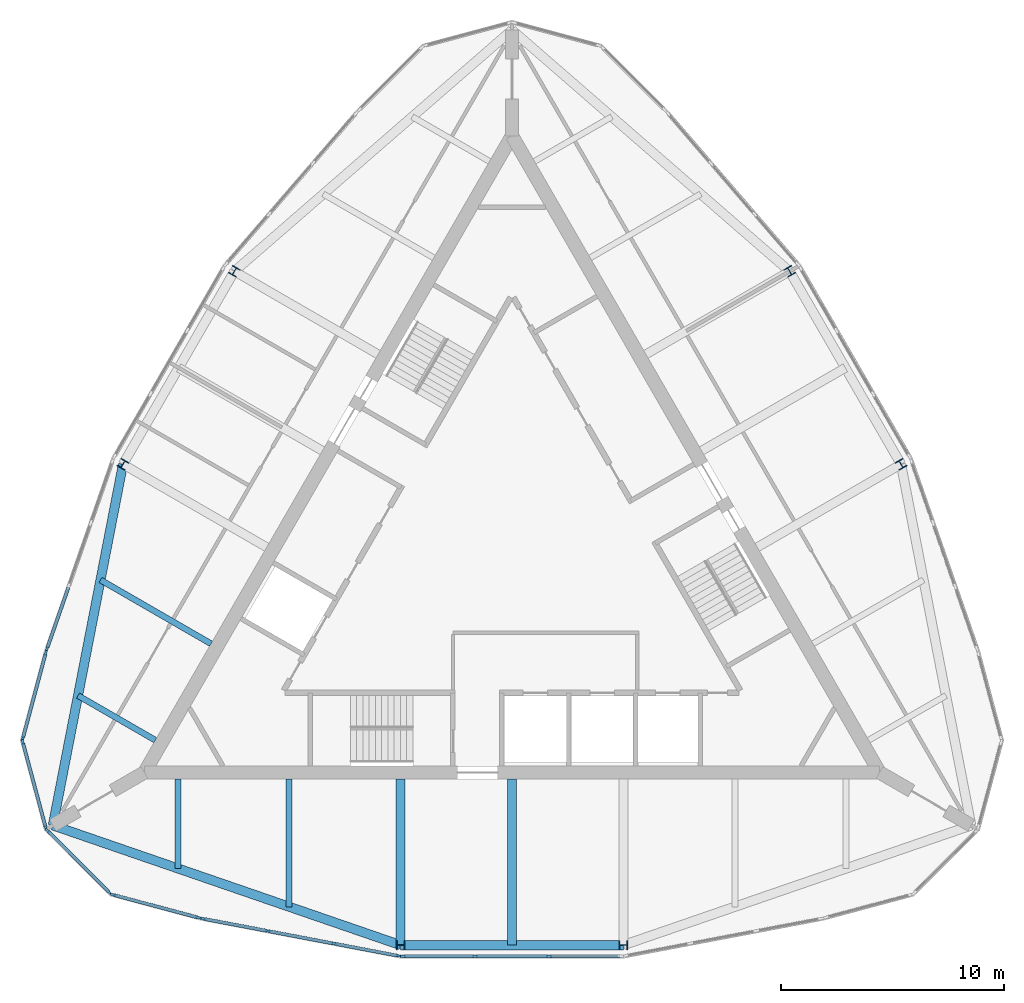
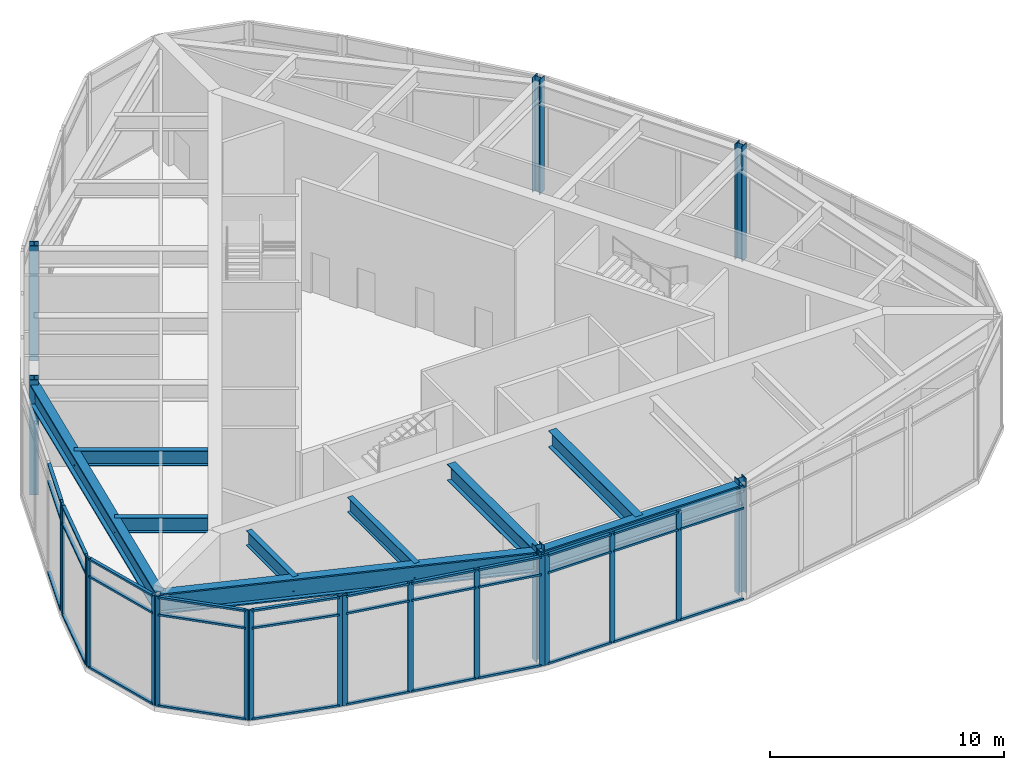
# One storey, part 1 of 9: 48 members, 9 beams, 6 columns, 7 elements without a shape of their own.
"""IFC4 building model written with IfcOpenShell, lengths in metres."""

from ifc_helpers import new_model, si_unit, direction, frame, origin, origin_2d, place, context, subcontext, project, spatial, rectangle, i_section, extrude, material, material_profile, profile_set, type_object, element, aggregate, save


model = new_model("IFC4")

# Units and contexts
model_context = context("Model", 3, precision=1e-05, world=origin(), true_north=direction((0.0, 1.0)))
body_context = subcontext(model_context, "Body", "Model", "MODEL_VIEW")
ifc_project = project(units=[si_unit("LENGTHUNIT", "METRE"), si_unit("AREAUNIT", "SQUARE_METRE"), si_unit("VOLUMEUNIT", "CUBIC_METRE"), si_unit("PLANEANGLEUNIT", "RADIAN"), si_unit("MASSUNIT", "GRAM", prefix="KILO")], contexts=[model_context])

# Site, building, storey
site_placement = place(None, origin())
site = spatial("IfcSite", under=ifc_project, at=site_placement, CompositionType="ELEMENT")
building_placement = place(site_placement, origin())
building = spatial("IfcBuilding", under=site, at=building_placement, Name="Trikona Tower", CompositionType="ELEMENT")
storey_placement = place(building_placement, frame((0.0, 0.0, 286.800048828125)))
storey = spatial("IfcBuildingStorey", under=building, at=storey_placement, Name="L75", CompositionType="ELEMENT", Elevation=286.800048828125)

# Columns
ifc_material_1 = material(Name="Steel ASTM A992 Grade 50", Category="steel")
ifc_material_profile_1 = material_profile(ifc_material_1, i_section(OverallWidth=0.398681640625, OverallDepth=0.385986328125, WebThickness=0.02099609375, FlangeThickness=0.033203125, at=origin_2d()), Name="W14X176")
ifc_profile_set_1 = profile_set([ifc_material_profile_1], Name="Steel ASTM A992 Grade 50")
column_type = type_object("IfcColumnType", Name="Steel column W14x176", PredefinedType="COLUMN", material=ifc_profile_set_1)
for number, where, z_axis, x_axis, name in (
    (1, (-5.0, -17.27587890625, 0.0), (0.0, 0.0, 1.0), (0.0, -1.0, 0.0), "Column F0m5"),
    (2, (5.0, -17.27587890625, 0.0), (0.0, 0.0, 1.0), (0.0, -1.0, 0.0), "Column F0p5"),
    (3, (17.461181640625, 4.307861328125, 0.0), (0.0, 0.0, 1.0), (0.866025403784, 0.5, 0.0), "Column F1m5"),
    (4, (12.461181640625, 12.968017578125, 0.0), (0.0, 0.0, 1.0), (0.866025403784, 0.5, 0.0), "Column F1p5"),
    (5, (-12.461181640625, 12.968017578125, 0.0), (0.0, 0.0, 1.0), (-0.866025403784, 0.5, 0.0), "Column F2m5"),
    (6, (-17.461181640625, 4.307861328125, 0.0), (0.0, 0.0, 1.0), (-0.866025403784, 0.5, 0.0), "Column F2p5"),
):
    element("IfcColumn", number, at=place(storey_placement, frame(where, z_axis=z_axis, x_axis=x_axis)), inside=storey, type_object=column_type, Name=name, PredefinedType="COLUMN", context=body_context, shape_type="SweptSolid", body=[
        extrude(i_section(OverallWidth=0.398681640625, OverallDepth=0.385986328125, WebThickness=0.02099609375, FlangeThickness=0.033203125, at=origin_2d()), origin(), (0.0, 0.0, 1.0), 6.0),
    ])

# Curtain wall, members
ifc_material_2 = material(Name="Aluminium curtain wall system", Category="aluminium")
curtain_wall_type = type_object("IfcCurtainWallType", Name="Curtain wall OB", PredefinedType="NOTDEFINED", material=ifc_material_2)
curtain_wall_1_placement = place(storey_placement, origin())
curtain_wall_1 = element("IfcCurtainWall", 7, at=curtain_wall_1_placement, inside=storey, type_object=curtain_wall_type, Name="Curtain wall OB L75", PredefinedType="NOTDEFINED")
ifc_material_3 = material(Name="Aluminium mullion, pale anodised", Category="aluminium")
ifc_material_profile_2 = material_profile(ifc_material_3, rectangle(XDim=0.10009765625, YDim=0.25, at=origin_2d()), Name="MUL-OB")
ifc_profile_set_2 = profile_set([ifc_material_profile_2], Name="Aluminium mullion, pale anodised")
member_type_1 = type_object("IfcMemberType", Name="Mullion OB 100x250", PredefinedType="MULLION", material=ifc_profile_set_2)
member_1_placement = place(storey_placement, frame((-13.873291015625, -16.088134765625, 0.0), z_axis=(0.0, 0.0, 1.0), x_axis=(0.186660752571, 0.982424431419, 0.0)))
member_1 = element("IfcMember", 8, at=member_1_placement, type_object=member_type_1, Name="CW-OB mullion 1", PredefinedType="MULLION", context=body_context, shape_type="SweptSolid", body=[
    extrude(rectangle(XDim=0.10009765625, YDim=0.25, at=origin_2d()), origin(), (0.0, 0.0, 1.0), 5.75),
])
member_2_placement = place(storey_placement, frame((-10.961669921875, -16.641357421875, 0.0), z_axis=(0.0, 0.0, 1.0), x_axis=(0.186660752571, 0.982424431419, 0.0)))
member_2 = element("IfcMember", 9, at=member_2_placement, type_object=member_type_1, Name="CW-OB mullion 2", PredefinedType="MULLION", context=body_context, shape_type="SweptSolid", body=[
    extrude(rectangle(XDim=0.10009765625, YDim=0.25, at=origin_2d()), origin(), (0.0, 0.0, 1.0), 5.75),
])
member_3_placement = place(storey_placement, frame((-8.0009765625, -17.203857421875, 0.0), z_axis=(0.0, 0.0, 1.0), x_axis=(0.186660752571, 0.982424431419, 0.0)))
member_3 = element("IfcMember", 10, at=member_3_placement, type_object=member_type_1, Name="CW-OB mullion 3", PredefinedType="MULLION", context=body_context, shape_type="SweptSolid", body=[
    extrude(rectangle(XDim=0.10009765625, YDim=0.25, at=origin_2d()), origin(), (0.0, 0.0, 1.0), 5.75),
])
member_4_placement = place(storey_placement, frame((-5.08935546875, -17.757080078125, 0.0), z_axis=(0.0, 0.0, 1.0), x_axis=(0.186660752571, 0.982424431419, 0.0)))
member_4 = element("IfcMember", 11, at=member_4_placement, type_object=member_type_1, Name="CW-OB mullion 4", PredefinedType="MULLION", context=body_context, shape_type="SweptSolid", body=[
    extrude(rectangle(XDim=0.10009765625, YDim=0.25, at=origin_2d()), origin(), (0.0, 0.0, 1.0), 5.75),
])

curtain_wall_2_placement = place(storey_placement, origin())
curtain_wall_2 = element("IfcCurtainWall", 12, at=curtain_wall_2_placement, inside=storey, type_object=curtain_wall_type, Name="Curtain wall OB L75", PredefinedType="NOTDEFINED")
member_5_placement = place(storey_placement, frame((-4.889892578125, -17.77587890625, 0.0), z_axis=(0.0, 0.0, 1.0), x_axis=(0.0, 1.0, 0.0)))
member_5 = element("IfcMember", 13, at=member_5_placement, type_object=member_type_1, Name="CW-OB mullion 1", PredefinedType="MULLION", context=body_context, shape_type="SweptSolid", body=[
    extrude(rectangle(XDim=0.10009765625, YDim=0.25, at=origin_2d()), origin(), (0.0, 0.0, 1.0), 5.75),
])
member_6_placement = place(storey_placement, frame((-1.646728515625, -17.77587890625, 0.0), z_axis=(0.0, 0.0, 1.0), x_axis=(0.0, 1.0, 0.0)))
member_6 = element("IfcMember", 14, at=member_6_placement, type_object=member_type_1, Name="CW-OB mullion 2", PredefinedType="MULLION", context=body_context, shape_type="SweptSolid", body=[
    extrude(rectangle(XDim=0.10009765625, YDim=0.25, at=origin_2d()), origin(), (0.0, 0.0, 1.0), 5.75),
])
member_7_placement = place(storey_placement, frame((1.646728515625, -17.77587890625, 0.0), z_axis=(0.0, 0.0, 1.0), x_axis=(0.0, 1.0, 0.0)))
member_7 = element("IfcMember", 15, at=member_7_placement, type_object=member_type_1, Name="CW-OB mullion 3", PredefinedType="MULLION", context=body_context, shape_type="SweptSolid", body=[
    extrude(rectangle(XDim=0.10009765625, YDim=0.25, at=origin_2d()), origin(), (0.0, 0.0, 1.0), 5.75),
])

# Curtain wall, member
curtain_wall_3_placement = place(storey_placement, origin())
curtain_wall_3 = element("IfcCurtainWall", 16, at=curtain_wall_3_placement, inside=storey, type_object=curtain_wall_type, Name="Curtain wall OB L75", PredefinedType="NOTDEFINED")
member_8_placement = place(storey_placement, frame((-20.869384765625, -3.970703125, 0.0), z_axis=(0.0, 0.0, 1.0), x_axis=(0.944137368145, -0.329552165935, 0.0)))
member_8 = element("IfcMember", 17, at=member_8_placement, type_object=member_type_1, Name="CW-OB mullion 4", PredefinedType="MULLION", context=body_context, shape_type="SweptSolid", body=[
    extrude(rectangle(XDim=0.10009765625, YDim=0.25, at=origin_2d()), origin(), (0.0, 0.0, 1.0), 5.75),
])

# Curtain wall, members
curtain_wall_4_placement = place(storey_placement, origin())
curtain_wall_4 = element("IfcCurtainWall", 18, at=curtain_wall_4_placement, inside=storey, type_object=curtain_wall_type, Name="Curtain wall OB L75", PredefinedType="NOTDEFINED")
member_9_placement = place(storey_placement, frame((-20.931884765625, -4.173583984375, 0.0), z_axis=(0.0, 0.0, 1.0), x_axis=(0.965921800259, -0.258834069983, 0.0)))
member_9 = element("IfcMember", 19, at=member_9_placement, type_object=member_type_1, Name="CW-OB mullion 1", PredefinedType="MULLION", context=body_context, shape_type="SweptSolid", body=[
    extrude(rectangle(XDim=0.10009765625, YDim=0.25, at=origin_2d()), origin(), (0.0, 0.0, 1.0), 5.75),
])
member_10_placement = place(storey_placement, frame((-21.957763671875, -8.00244140625, 0.0), z_axis=(0.0, 0.0, 1.0), x_axis=(0.965921800259, -0.258834069983, 0.0)))
member_10 = element("IfcMember", 20, at=member_10_placement, type_object=member_type_1, Name="CW-OB mullion 2", PredefinedType="MULLION", context=body_context, shape_type="SweptSolid", body=[
    extrude(rectangle(XDim=0.10009765625, YDim=0.25, at=origin_2d()), origin(), (0.0, 0.0, 1.0), 5.75),
])

curtain_wall_5_placement = place(storey_placement, origin())
curtain_wall_5 = element("IfcCurtainWall", 21, at=curtain_wall_5_placement, inside=storey, type_object=curtain_wall_type, Name="Curtain wall OB L75", PredefinedType="NOTDEFINED")
member_11_placement = place(storey_placement, frame((-21.957763671875, -8.163330078125, 0.0), z_axis=(0.0, 0.0, 1.0), x_axis=(0.965923448705, 0.258827918204, 0.0)))
member_11 = element("IfcMember", 22, at=member_11_placement, type_object=member_type_1, Name="CW-OB mullion 1", PredefinedType="MULLION", context=body_context, shape_type="SweptSolid", body=[
    extrude(rectangle(XDim=0.10009765625, YDim=0.25, at=origin_2d()), origin(), (0.0, 0.0, 1.0), 5.75),
])
member_12_placement = place(storey_placement, frame((-20.931884765625, -11.9921875, 0.0), z_axis=(0.0, 0.0, 1.0), x_axis=(0.965923448705, 0.258827918204, 0.0)))
member_12 = element("IfcMember", 23, at=member_12_placement, type_object=member_type_1, Name="CW-OB mullion 2", PredefinedType="MULLION", context=body_context, shape_type="SweptSolid", body=[
    extrude(rectangle(XDim=0.10009765625, YDim=0.25, at=origin_2d()), origin(), (0.0, 0.0, 1.0), 5.75),
])

curtain_wall_6_placement = place(storey_placement, origin())
curtain_wall_6 = element("IfcCurtainWall", 24, at=curtain_wall_6_placement, inside=storey, type_object=curtain_wall_type, Name="Curtain wall OB L75", PredefinedType="NOTDEFINED")
member_13_placement = place(storey_placement, frame((-20.8515625, -12.13134765625, 0.0), z_axis=(0.0, 0.0, 1.0), x_axis=(0.707106781187, 0.707106781187, 0.0)))
member_13 = element("IfcMember", 25, at=member_13_placement, type_object=member_type_1, Name="CW-OB mullion 1", PredefinedType="MULLION", context=body_context, shape_type="SweptSolid", body=[
    extrude(rectangle(XDim=0.10009765625, YDim=0.25, at=origin_2d()), origin(), (0.0, 0.0, 1.0), 5.75),
])
member_14_placement = place(storey_placement, frame((-18.048583984375, -14.934326171875, 0.0), z_axis=(0.0, 0.0, 1.0), x_axis=(0.707106781187, 0.707106781187, 0.0)))
member_14 = element("IfcMember", 26, at=member_14_placement, type_object=member_type_1, Name="CW-OB mullion 2", PredefinedType="MULLION", context=body_context, shape_type="SweptSolid", body=[
    extrude(rectangle(XDim=0.10009765625, YDim=0.25, at=origin_2d()), origin(), (0.0, 0.0, 1.0), 5.75),
])

curtain_wall_7_placement = place(storey_placement, origin())
curtain_wall_7 = element("IfcCurtainWall", 27, at=curtain_wall_7_placement, inside=storey, type_object=curtain_wall_type, Name="Curtain wall OB L75", PredefinedType="NOTDEFINED")
member_15_placement = place(storey_placement, frame((-17.909423828125, -15.0146484375, 0.0), z_axis=(0.0, 0.0, 1.0), x_axis=(0.258827918204, 0.965923448705, 0.0)))
member_15 = element("IfcMember", 28, at=member_15_placement, type_object=member_type_1, Name="CW-OB mullion 1", PredefinedType="MULLION", context=body_context, shape_type="SweptSolid", body=[
    extrude(rectangle(XDim=0.10009765625, YDim=0.25, at=origin_2d()), origin(), (0.0, 0.0, 1.0), 5.75),
])
member_16_placement = place(storey_placement, frame((-14.080322265625, -16.040771484375, 0.0), z_axis=(0.0, 0.0, 1.0), x_axis=(0.258827918204, 0.965923448705, 0.0)))
member_16 = element("IfcMember", 29, at=member_16_placement, type_object=member_type_1, Name="CW-OB mullion 2", PredefinedType="MULLION", context=body_context, shape_type="SweptSolid", body=[
    extrude(rectangle(XDim=0.10009765625, YDim=0.25, at=origin_2d()), origin(), (0.0, 0.0, 1.0), 5.75),
])

# Beams
ifc_material_4 = material(Name="Steel ASTM A992 Grade 50", Category="steel")
ifc_material_profile_3 = material_profile(ifc_material_4, i_section(OverallWidth=0.2666015625, OverallDepth=0.76953125, WebThickness=0.015625, FlangeThickness=0.025390625, at=origin_2d()), Name="W30X132")
ifc_profile_set_3 = profile_set([ifc_material_profile_3], Name="Steel ASTM A992 Grade 50")
beam_type_1 = type_object("IfcBeamType", Name="Steel beam W30x132 (wedge)", PredefinedType="BEAM", material=ifc_profile_set_3)
beam_1_placement = place(storey_placement, frame((-15.0, -9.826416015625, 5.365234375), z_axis=(0.0, -1.0, 0.0), x_axis=(1.0, 0.0, 0.0)))
element("IfcBeam", 30, at=beam_1_placement, inside=storey, type_object=beam_type_1, Name="Floor beam L76 F1 u-15", PredefinedType="BEAM", context=body_context, shape_type="SweptSolid", body=[
    extrude(i_section(OverallWidth=0.2666015625, OverallDepth=0.76953125, WebThickness=0.015625, FlangeThickness=0.025390625, at=origin_2d()), origin(), (0.0, 0.0, 1.0), 4.005126953125),
])
beam_2_placement = place(storey_placement, frame((-10.0, -9.826416015625, 5.365234375), z_axis=(0.0, -1.0, 0.0), x_axis=(1.0, 0.0, 0.0)))
element("IfcBeam", 31, at=beam_2_placement, inside=storey, type_object=beam_type_1, Name="Floor beam L76 F1 u-10", PredefinedType="BEAM", context=body_context, shape_type="SweptSolid", body=[
    extrude(i_section(OverallWidth=0.2666015625, OverallDepth=0.76953125, WebThickness=0.015625, FlangeThickness=0.025390625, at=origin_2d()), origin(), (0.0, 0.0, 1.0), 5.727294921875),
])
beam_3_placement = place(storey_placement, frame((-13.509765625, -3.7470703125, 5.365234375), z_axis=(-0.866025872957, 0.499999187369, 0.0), x_axis=(-0.499999187369, -0.866025872957, 0.0)))
element("IfcBeam", 32, at=beam_3_placement, inside=storey, type_object=beam_type_1, Name="Floor beam L76 F3 u10", PredefinedType="BEAM", context=body_context, shape_type="SweptSolid", body=[
    extrude(i_section(OverallWidth=0.2666015625, OverallDepth=0.76953125, WebThickness=0.015625, FlangeThickness=0.025390625, at=origin_2d()), origin(), (0.0, 0.0, 1.0), 5.7275390625),
])
beam_4_placement = place(storey_placement, frame((-16.009765625, -8.077392578125, 5.365234375), z_axis=(-0.866025209122, 0.500000337164, 0.0), x_axis=(-0.500000337164, -0.866025209122, 0.0)))
element("IfcBeam", 33, at=beam_4_placement, inside=storey, type_object=beam_type_1, Name="Floor beam L76 F3 u15", PredefinedType="BEAM", context=body_context, shape_type="SweptSolid", body=[
    extrude(i_section(OverallWidth=0.2666015625, OverallDepth=0.76953125, WebThickness=0.015625, FlangeThickness=0.025390625, at=origin_2d()), origin(), (0.0, 0.0, 1.0), 4.00537109375),
])
ifc_material_5 = material(Name="Steel ASTM A992 Grade 50", Category="steel")
ifc_material_profile_4 = material_profile(ifc_material_5, i_section(OverallWidth=0.398681640625, OverallDepth=0.85595703125, WebThickness=0.01806640625, FlangeThickness=0.029296875, at=origin_2d()), Name="W33X201")
ifc_profile_set_4 = profile_set([ifc_material_profile_4], Name="Steel ASTM A992 Grade 50")
beam_type_2 = type_object("IfcBeamType", Name="Steel beam W33x201 (top)", PredefinedType="BEAM", material=ifc_profile_set_4)
for number, where, z_axis, x_axis, name in (
    (34, (-5.0, -9.826416015625, 5.322021484375), (0.0, -1.0, 0.0), (1.0, 0.0, 0.0), "Floor beam L76 F1 u-5"),
    (35, (0.0, -9.826416015625, 5.322021484375), (0.0, -1.0, 0.0), (1.0, 0.0, 0.0), "Floor beam L76 F1 u0"),
):
    element("IfcBeam", number, at=place(storey_placement, frame(where, z_axis=z_axis, x_axis=x_axis)), inside=storey, type_object=beam_type_2, Name=name, PredefinedType="BEAM", context=body_context, shape_type="SweptSolid", body=[
        extrude(i_section(OverallWidth=0.398681640625, OverallDepth=0.85595703125, WebThickness=0.01806640625, FlangeThickness=0.029296875, at=origin_2d()), origin(), (0.0, 0.0, 1.0), 7.449462890625),
    ])
ifc_material_6 = material(Name="Steel ASTM A992 Grade 50", Category="steel")
ifc_material_profile_5 = material_profile(ifc_material_6, i_section(OverallWidth=0.41650390625, OverallDepth=1.0693359375, WebThickness=0.0390625, FlangeThickness=0.070068359375, at=origin_2d()), Name="W40X503")
ifc_profile_set_5 = profile_set([ifc_material_profile_5], Name="Steel ASTM A992 Grade 50")
beam_type_3 = type_object("IfcBeamType", Name="Steel beam W40x503 (crown spandrel)", PredefinedType="SPANDREL", material=ifc_profile_set_5)
beam_5_placement = place(storey_placement, frame((-20.6103515625, -11.8994140625, 5.21533203125), z_axis=(0.945492661054, -0.325643406033, 0.0), x_axis=(0.325643406033, 0.945492661054, 0.0)))
element("IfcBeam", 36, at=beam_5_placement, inside=storey, type_object=beam_type_3, Name="Spandrel beam L76 F1-1", PredefinedType="SPANDREL", context=body_context, shape_type="SweptSolid", body=[
    extrude(i_section(OverallWidth=0.41650390625, OverallDepth=1.0693359375, WebThickness=0.0390625, FlangeThickness=0.070068359375, at=origin_2d()), origin(), (0.0, 0.0, 1.0), 16.51025390625),
])
beam_6_placement = place(storey_placement, frame((-5.0, -17.27587890625, 5.21533203125), z_axis=(1.0, 0.0, 0.0), x_axis=(0.0, 1.0, 0.0)))
element("IfcBeam", 37, at=beam_6_placement, inside=storey, type_object=beam_type_3, Name="Spandrel beam L76 F1-2", PredefinedType="SPANDREL", context=body_context, shape_type="SweptSolid", body=[
    extrude(i_section(OverallWidth=0.41650390625, OverallDepth=1.0693359375, WebThickness=0.0390625, FlangeThickness=0.070068359375, at=origin_2d()), origin(), (0.0, 0.0, 1.0), 10.0),
])
beam_7_placement = place(storey_placement, frame((-17.461181640625, 4.307861328125, 5.21533203125), z_axis=(-0.190738651496, -0.981640854297, 0.0), x_axis=(0.981640854297, -0.190738651496, 0.0)))
element("IfcBeam", 38, at=beam_7_placement, inside=storey, type_object=beam_type_3, Name="Spandrel beam L76 F3-3", PredefinedType="SPANDREL", context=body_context, shape_type="SweptSolid", body=[
    extrude(i_section(OverallWidth=0.41650390625, OverallDepth=1.0693359375, WebThickness=0.0390625, FlangeThickness=0.070068359375, at=origin_2d()), origin(), (0.0, 0.0, 1.0), 16.510498046875),
])

# Member
ifc_material_7 = material(Name="Aluminium transom, pale anodised", Category="aluminium")
ifc_material_profile_6 = material_profile(ifc_material_7, rectangle(XDim=0.14990234375, YDim=0.10009765625, at=origin_2d()), Name="TRN-OB")
ifc_profile_set_6 = profile_set([ifc_material_profile_6], Name="Aluminium transom, pale anodised")
member_type_2 = type_object("IfcMemberType", Name="Transom OB 100x150", PredefinedType="USERDEFINED", material=ifc_profile_set_6)
member_17_placement = place(storey_placement, frame((-13.82421875, -16.097412109375, 0.050048828125), z_axis=(0.982417572475, -0.186696848639, 0.0), x_axis=(0.186696848639, 0.982417572475, 0.0)))
member_17 = element("IfcMember", 39, at=member_17_placement, type_object=member_type_2, Name="CW-OB transom 1.1", ObjectType="TRANSOM", PredefinedType="USERDEFINED", context=body_context, shape_type="SweptSolid", body=[
    extrude(rectangle(XDim=0.14990234375, YDim=0.10009765625, at=origin_2d()), origin(), (0.0, 0.0, 1.0), 2.86376953125),
])

member_18_placement = place(storey_placement, frame((-13.82421875, -16.097412109375, 4.800048828125), z_axis=(0.982417572475, -0.186696848639, 0.0), x_axis=(0.186696848639, 0.982417572475, 0.0)))
member_18 = element("IfcMember", 40, at=member_18_placement, type_object=member_type_2, Name="CW-OB transom 1.2", ObjectType="TRANSOM", PredefinedType="USERDEFINED", context=body_context, shape_type="SweptSolid", body=[
    extrude(rectangle(XDim=0.14990234375, YDim=0.10009765625, at=origin_2d()), origin(), (0.0, 0.0, 1.0), 2.86376953125),
])

member_19_placement = place(storey_placement, frame((-13.82421875, -16.097412109375, 5.699951171875), z_axis=(0.982417572475, -0.186696848639, 0.0), x_axis=(0.186696848639, 0.982417572475, 0.0)))
member_19 = element("IfcMember", 41, at=member_19_placement, type_object=member_type_2, Name="CW-OB transom 1.3", ObjectType="TRANSOM", PredefinedType="USERDEFINED", context=body_context, shape_type="SweptSolid", body=[
    extrude(rectangle(XDim=0.14990234375, YDim=0.10009765625, at=origin_2d()), origin(), (0.0, 0.0, 1.0), 2.86376953125),
])

member_20_placement = place(storey_placement, frame((-10.91259765625, -16.650634765625, 0.050048828125), z_axis=(0.982420610208, -0.186680863074, 0.0), x_axis=(0.186680863074, 0.982420610208, 0.0)))
member_20 = element("IfcMember", 42, at=member_20_placement, type_object=member_type_2, Name="CW-OB transom 2.1", ObjectType="TRANSOM", PredefinedType="USERDEFINED", context=body_context, shape_type="SweptSolid", body=[
    extrude(rectangle(XDim=0.14990234375, YDim=0.10009765625, at=origin_2d()), origin(), (0.0, 0.0, 1.0), 2.913818359375),
])

member_21_placement = place(storey_placement, frame((-10.91259765625, -16.650634765625, 4.800048828125), z_axis=(0.982420610208, -0.186680863074, 0.0), x_axis=(0.186680863074, 0.982420610208, 0.0)))
member_21 = element("IfcMember", 43, at=member_21_placement, type_object=member_type_2, Name="CW-OB transom 2.2", ObjectType="TRANSOM", PredefinedType="USERDEFINED", context=body_context, shape_type="SweptSolid", body=[
    extrude(rectangle(XDim=0.14990234375, YDim=0.10009765625, at=origin_2d()), origin(), (0.0, 0.0, 1.0), 2.913818359375),
])

member_22_placement = place(storey_placement, frame((-10.91259765625, -16.650634765625, 5.699951171875), z_axis=(0.982420610208, -0.186680863074, 0.0), x_axis=(0.186680863074, 0.982420610208, 0.0)))
member_22 = element("IfcMember", 44, at=member_22_placement, type_object=member_type_2, Name="CW-OB transom 2.3", ObjectType="TRANSOM", PredefinedType="USERDEFINED", context=body_context, shape_type="SweptSolid", body=[
    extrude(rectangle(XDim=0.14990234375, YDim=0.10009765625, at=origin_2d()), origin(), (0.0, 0.0, 1.0), 2.913818359375),
])

member_23_placement = place(storey_placement, frame((-7.951904296875, -17.213134765625, 0.050048828125), z_axis=(0.982417572475, -0.186696848639, 0.0), x_axis=(0.186696848639, 0.982417572475, 0.0)))
member_23 = element("IfcMember", 45, at=member_23_placement, type_object=member_type_2, Name="CW-OB transom 3.1", ObjectType="TRANSOM", PredefinedType="USERDEFINED", context=body_context, shape_type="SweptSolid", body=[
    extrude(rectangle(XDim=0.14990234375, YDim=0.10009765625, at=origin_2d()), origin(), (0.0, 0.0, 1.0), 2.86376953125),
])

member_24_placement = place(storey_placement, frame((-7.951904296875, -17.213134765625, 4.800048828125), z_axis=(0.982417572475, -0.186696848639, 0.0), x_axis=(0.186696848639, 0.982417572475, 0.0)))
member_24 = element("IfcMember", 46, at=member_24_placement, type_object=member_type_2, Name="CW-OB transom 3.2", ObjectType="TRANSOM", PredefinedType="USERDEFINED", context=body_context, shape_type="SweptSolid", body=[
    extrude(rectangle(XDim=0.14990234375, YDim=0.10009765625, at=origin_2d()), origin(), (0.0, 0.0, 1.0), 2.86376953125),
])

member_25_placement = place(storey_placement, frame((-7.951904296875, -17.213134765625, 5.699951171875), z_axis=(0.982417572475, -0.186696848639, 0.0), x_axis=(0.186696848639, 0.982417572475, 0.0)))
member_25 = element("IfcMember", 47, at=member_25_placement, type_object=member_type_2, Name="CW-OB transom 3.3", ObjectType="TRANSOM", PredefinedType="USERDEFINED", context=body_context, shape_type="SweptSolid", body=[
    extrude(rectangle(XDim=0.14990234375, YDim=0.10009765625, at=origin_2d()), origin(), (0.0, 0.0, 1.0), 2.86376953125),
])

aggregate(curtain_wall_1, [member_1, member_2, member_3, member_4, member_17, member_18, member_19, member_20, member_21, member_22, member_23, member_24, member_25])

member_26_placement = place(storey_placement, frame((-4.840087890625, -17.77587890625, 0.050048828125), z_axis=(1.0, 0.0, 0.0), x_axis=(0.0, 1.0, 0.0)))
member_26 = element("IfcMember", 48, at=member_26_placement, type_object=member_type_2, Name="CW-OB transom 1.1", ObjectType="TRANSOM", PredefinedType="USERDEFINED", context=body_context, shape_type="SweptSolid", body=[
    extrude(rectangle(XDim=0.14990234375, YDim=0.10009765625, at=origin_2d()), origin(), (0.0, 0.0, 1.0), 3.143310546875),
])

member_27_placement = place(storey_placement, frame((-4.840087890625, -17.77587890625, 4.800048828125), z_axis=(1.0, 0.0, 0.0), x_axis=(0.0, 1.0, 0.0)))
member_27 = element("IfcMember", 49, at=member_27_placement, type_object=member_type_2, Name="CW-OB transom 1.2", ObjectType="TRANSOM", PredefinedType="USERDEFINED", context=body_context, shape_type="SweptSolid", body=[
    extrude(rectangle(XDim=0.14990234375, YDim=0.10009765625, at=origin_2d()), origin(), (0.0, 0.0, 1.0), 3.143310546875),
])

member_28_placement = place(storey_placement, frame((-4.840087890625, -17.77587890625, 5.699951171875), z_axis=(1.0, 0.0, 0.0), x_axis=(0.0, 1.0, 0.0)))
member_28 = element("IfcMember", 50, at=member_28_placement, type_object=member_type_2, Name="CW-OB transom 1.3", ObjectType="TRANSOM", PredefinedType="USERDEFINED", context=body_context, shape_type="SweptSolid", body=[
    extrude(rectangle(XDim=0.14990234375, YDim=0.10009765625, at=origin_2d()), origin(), (0.0, 0.0, 1.0), 3.143310546875),
])

member_29_placement = place(storey_placement, frame((-1.5966796875, -17.77587890625, 0.050048828125), z_axis=(1.0, 0.0, 0.0), x_axis=(0.0, 1.0, 0.0)))
member_29 = element("IfcMember", 51, at=member_29_placement, type_object=member_type_2, Name="CW-OB transom 2.1", ObjectType="TRANSOM", PredefinedType="USERDEFINED", context=body_context, shape_type="SweptSolid", body=[
    extrude(rectangle(XDim=0.14990234375, YDim=0.10009765625, at=origin_2d()), origin(), (0.0, 0.0, 1.0), 3.193359375),
])

member_30_placement = place(storey_placement, frame((-1.5966796875, -17.77587890625, 4.800048828125), z_axis=(1.0, 0.0, 0.0), x_axis=(0.0, 1.0, 0.0)))
member_30 = element("IfcMember", 52, at=member_30_placement, type_object=member_type_2, Name="CW-OB transom 2.2", ObjectType="TRANSOM", PredefinedType="USERDEFINED", context=body_context, shape_type="SweptSolid", body=[
    extrude(rectangle(XDim=0.14990234375, YDim=0.10009765625, at=origin_2d()), origin(), (0.0, 0.0, 1.0), 3.193359375),
])

member_31_placement = place(storey_placement, frame((-1.5966796875, -17.77587890625, 5.699951171875), z_axis=(1.0, 0.0, 0.0), x_axis=(0.0, 1.0, 0.0)))
member_31 = element("IfcMember", 53, at=member_31_placement, type_object=member_type_2, Name="CW-OB transom 2.3", ObjectType="TRANSOM", PredefinedType="USERDEFINED", context=body_context, shape_type="SweptSolid", body=[
    extrude(rectangle(XDim=0.14990234375, YDim=0.10009765625, at=origin_2d()), origin(), (0.0, 0.0, 1.0), 3.193359375),
])

member_32_placement = place(storey_placement, frame((1.69677734375, -17.77587890625, 0.050048828125), z_axis=(1.0, 0.0, 0.0), x_axis=(0.0, 1.0, 0.0)))
member_32 = element("IfcMember", 54, at=member_32_placement, type_object=member_type_2, Name="CW-OB transom 3.1", ObjectType="TRANSOM", PredefinedType="USERDEFINED", context=body_context, shape_type="SweptSolid", body=[
    extrude(rectangle(XDim=0.14990234375, YDim=0.10009765625, at=origin_2d()), origin(), (0.0, 0.0, 1.0), 3.143310546875),
])

member_33_placement = place(storey_placement, frame((1.69677734375, -17.77587890625, 4.800048828125), z_axis=(1.0, 0.0, 0.0), x_axis=(0.0, 1.0, 0.0)))
member_33 = element("IfcMember", 55, at=member_33_placement, type_object=member_type_2, Name="CW-OB transom 3.2", ObjectType="TRANSOM", PredefinedType="USERDEFINED", context=body_context, shape_type="SweptSolid", body=[
    extrude(rectangle(XDim=0.14990234375, YDim=0.10009765625, at=origin_2d()), origin(), (0.0, 0.0, 1.0), 3.143310546875),
])

aggregate(curtain_wall_2, [member_5, member_6, member_7, member_26, member_27, member_28, member_29, member_30, member_31, member_32, member_33])

member_34_placement = place(storey_placement, frame((-19.9091796875, -1.2197265625, 0.050048828125), z_axis=(-0.329522402008, -0.944147756749, 0.0), x_axis=(0.944147756749, -0.329522402008, 0.0)))
member_34 = element("IfcMember", 56, at=member_34_placement, type_object=member_type_2, Name="CW-OB transom 3.1", ObjectType="TRANSOM", PredefinedType="USERDEFINED", context=body_context, shape_type="SweptSolid", body=[
    extrude(rectangle(XDim=0.14990234375, YDim=0.10009765625, at=origin_2d()), origin(), (0.0, 0.0, 1.0), 2.863525390625),
])

member_35_placement = place(storey_placement, frame((-19.9091796875, -1.2197265625, 4.800048828125), z_axis=(-0.329522402008, -0.944147756749, 0.0), x_axis=(0.944147756749, -0.329522402008, 0.0)))
member_35 = element("IfcMember", 57, at=member_35_placement, type_object=member_type_2, Name="CW-OB transom 3.2", ObjectType="TRANSOM", PredefinedType="USERDEFINED", context=body_context, shape_type="SweptSolid", body=[
    extrude(rectangle(XDim=0.14990234375, YDim=0.10009765625, at=origin_2d()), origin(), (0.0, 0.0, 1.0), 2.863525390625),
])

member_36_placement = place(storey_placement, frame((-19.9091796875, -1.2197265625, 5.699951171875), z_axis=(-0.329522402008, -0.944147756749, 0.0), x_axis=(0.944147756749, -0.329522402008, 0.0)))
member_36 = element("IfcMember", 58, at=member_36_placement, type_object=member_type_2, Name="CW-OB transom 3.3", ObjectType="TRANSOM", PredefinedType="USERDEFINED", context=body_context, shape_type="SweptSolid", body=[
    extrude(rectangle(XDim=0.14990234375, YDim=0.10009765625, at=origin_2d()), origin(), (0.0, 0.0, 1.0), 2.863525390625),
])

aggregate(curtain_wall_3, [member_8, member_34, member_35, member_36])

member_37_placement = place(storey_placement, frame((-20.94482421875, -4.221923828125, 0.050048828125), z_axis=(-0.258810832585, -0.965928026789, 0.0), x_axis=(0.965928026789, -0.258810832585, 0.0)))
member_37 = element("IfcMember", 59, at=member_37_placement, type_object=member_type_2, Name="CW-OB transom 1.1", ObjectType="TRANSOM", PredefinedType="USERDEFINED", context=body_context, shape_type="SweptSolid", body=[
    extrude(rectangle(XDim=0.14990234375, YDim=0.10009765625, at=origin_2d()), origin(), (0.0, 0.0, 1.0), 3.86376953125),
])

member_38_placement = place(storey_placement, frame((-20.94482421875, -4.221923828125, 4.800048828125), z_axis=(-0.258810832585, -0.965928026789, 0.0), x_axis=(0.965928026789, -0.258810832585, 0.0)))
member_38 = element("IfcMember", 60, at=member_38_placement, type_object=member_type_2, Name="CW-OB transom 1.2", ObjectType="TRANSOM", PredefinedType="USERDEFINED", context=body_context, shape_type="SweptSolid", body=[
    extrude(rectangle(XDim=0.14990234375, YDim=0.10009765625, at=origin_2d()), origin(), (0.0, 0.0, 1.0), 3.86376953125),
])

member_39_placement = place(storey_placement, frame((-20.94482421875, -4.221923828125, 5.699951171875), z_axis=(-0.258810832585, -0.965928026789, 0.0), x_axis=(0.965928026789, -0.258810832585, 0.0)))
member_39 = element("IfcMember", 61, at=member_39_placement, type_object=member_type_2, Name="CW-OB transom 1.3", ObjectType="TRANSOM", PredefinedType="USERDEFINED", context=body_context, shape_type="SweptSolid", body=[
    extrude(rectangle(XDim=0.14990234375, YDim=0.10009765625, at=origin_2d()), origin(), (0.0, 0.0, 1.0), 3.86376953125),
])

aggregate(curtain_wall_4, [member_9, member_10, member_37, member_38, member_39])

member_40_placement = place(storey_placement, frame((-21.94482421875, -8.211669921875, 0.050048828125), z_axis=(0.25879503742, -0.965932258808, 0.0), x_axis=(0.965932258808, 0.25879503742, 0.0)))
member_40 = element("IfcMember", 62, at=member_40_placement, type_object=member_type_2, Name="CW-OB transom 1.1", ObjectType="TRANSOM", PredefinedType="USERDEFINED", context=body_context, shape_type="SweptSolid", body=[
    extrude(rectangle(XDim=0.14990234375, YDim=0.10009765625, at=origin_2d()), origin(), (0.0, 0.0, 1.0), 3.864013671875),
])

member_41_placement = place(storey_placement, frame((-21.94482421875, -8.211669921875, 4.800048828125), z_axis=(0.25879503742, -0.965932258808, 0.0), x_axis=(0.965932258808, 0.25879503742, 0.0)))
member_41 = element("IfcMember", 63, at=member_41_placement, type_object=member_type_2, Name="CW-OB transom 1.2", ObjectType="TRANSOM", PredefinedType="USERDEFINED", context=body_context, shape_type="SweptSolid", body=[
    extrude(rectangle(XDim=0.14990234375, YDim=0.10009765625, at=origin_2d()), origin(), (0.0, 0.0, 1.0), 3.864013671875),
])

member_42_placement = place(storey_placement, frame((-21.94482421875, -8.211669921875, 5.699951171875), z_axis=(0.25879503742, -0.965932258808, 0.0), x_axis=(0.965932258808, 0.25879503742, 0.0)))
member_42 = element("IfcMember", 64, at=member_42_placement, type_object=member_type_2, Name="CW-OB transom 1.3", ObjectType="TRANSOM", PredefinedType="USERDEFINED", context=body_context, shape_type="SweptSolid", body=[
    extrude(rectangle(XDim=0.14990234375, YDim=0.10009765625, at=origin_2d()), origin(), (0.0, 0.0, 1.0), 3.864013671875),
])

aggregate(curtain_wall_5, [member_11, member_12, member_40, member_41, member_42])

member_43_placement = place(storey_placement, frame((-20.816162109375, -12.166748046875, 0.050048828125), z_axis=(0.707075189238, -0.707138371723, 0.0), x_axis=(0.707138371723, 0.707075189238, 0.0)))
member_43 = element("IfcMember", 65, at=member_43_placement, type_object=member_type_2, Name="CW-OB transom 1.1", ObjectType="TRANSOM", PredefinedType="USERDEFINED", context=body_context, shape_type="SweptSolid", body=[
    extrude(rectangle(XDim=0.14990234375, YDim=0.10009765625, at=origin_2d()), origin(), (0.0, 0.0, 1.0), 3.864013671875),
])

member_44_placement = place(storey_placement, frame((-20.816162109375, -12.166748046875, 4.800048828125), z_axis=(0.707075189238, -0.707138371723, 0.0), x_axis=(0.707138371723, 0.707075189238, 0.0)))
member_44 = element("IfcMember", 66, at=member_44_placement, type_object=member_type_2, Name="CW-OB transom 1.2", ObjectType="TRANSOM", PredefinedType="USERDEFINED", context=body_context, shape_type="SweptSolid", body=[
    extrude(rectangle(XDim=0.14990234375, YDim=0.10009765625, at=origin_2d()), origin(), (0.0, 0.0, 1.0), 3.864013671875),
])

member_45_placement = place(storey_placement, frame((-20.816162109375, -12.166748046875, 5.699951171875), z_axis=(0.707075189238, -0.707138371723, 0.0), x_axis=(0.707138371723, 0.707075189238, 0.0)))
member_45 = element("IfcMember", 67, at=member_45_placement, type_object=member_type_2, Name="CW-OB transom 1.3", ObjectType="TRANSOM", PredefinedType="USERDEFINED", context=body_context, shape_type="SweptSolid", body=[
    extrude(rectangle(XDim=0.14990234375, YDim=0.10009765625, at=origin_2d()), origin(), (0.0, 0.0, 1.0), 3.864013671875),
])

aggregate(curtain_wall_6, [member_13, member_14, member_43, member_44, member_45])

member_46_placement = place(storey_placement, frame((-17.861083984375, -15.027587890625, 0.050048828125), z_axis=(0.965916463032, -0.258853986724, 0.0), x_axis=(0.258853986724, 0.965916463032, 0.0)))
member_46 = element("IfcMember", 68, at=member_46_placement, type_object=member_type_2, Name="CW-OB transom 1.1", ObjectType="TRANSOM", PredefinedType="USERDEFINED", context=body_context, shape_type="SweptSolid", body=[
    extrude(rectangle(XDim=0.14990234375, YDim=0.10009765625, at=origin_2d()), origin(), (0.0, 0.0, 1.0), 3.864013671875),
])

member_47_placement = place(storey_placement, frame((-17.861083984375, -15.027587890625, 4.800048828125), z_axis=(0.965916463032, -0.258853986724, 0.0), x_axis=(0.258853986724, 0.965916463032, 0.0)))
member_47 = element("IfcMember", 69, at=member_47_placement, type_object=member_type_2, Name="CW-OB transom 1.2", ObjectType="TRANSOM", PredefinedType="USERDEFINED", context=body_context, shape_type="SweptSolid", body=[
    extrude(rectangle(XDim=0.14990234375, YDim=0.10009765625, at=origin_2d()), origin(), (0.0, 0.0, 1.0), 3.864013671875),
])

member_48_placement = place(storey_placement, frame((-17.861083984375, -15.027587890625, 5.699951171875), z_axis=(0.965916463032, -0.258853986724, 0.0), x_axis=(0.258853986724, 0.965916463032, 0.0)))
member_48 = element("IfcMember", 70, at=member_48_placement, type_object=member_type_2, Name="CW-OB transom 1.3", ObjectType="TRANSOM", PredefinedType="USERDEFINED", context=body_context, shape_type="SweptSolid", body=[
    extrude(rectangle(XDim=0.14990234375, YDim=0.10009765625, at=origin_2d()), origin(), (0.0, 0.0, 1.0), 3.864013671875),
])

aggregate(curtain_wall_7, [member_15, member_16, member_46, member_47, member_48])

save(model, "model.ifc")
